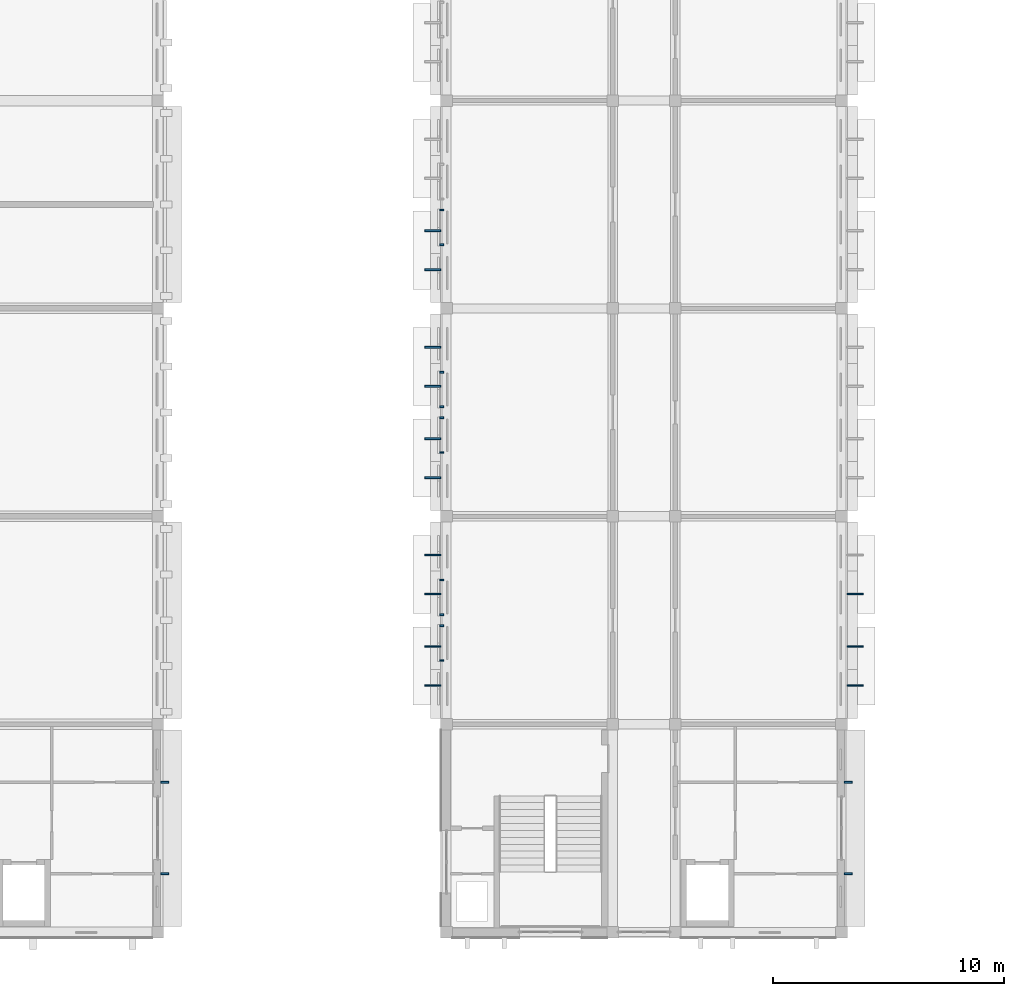
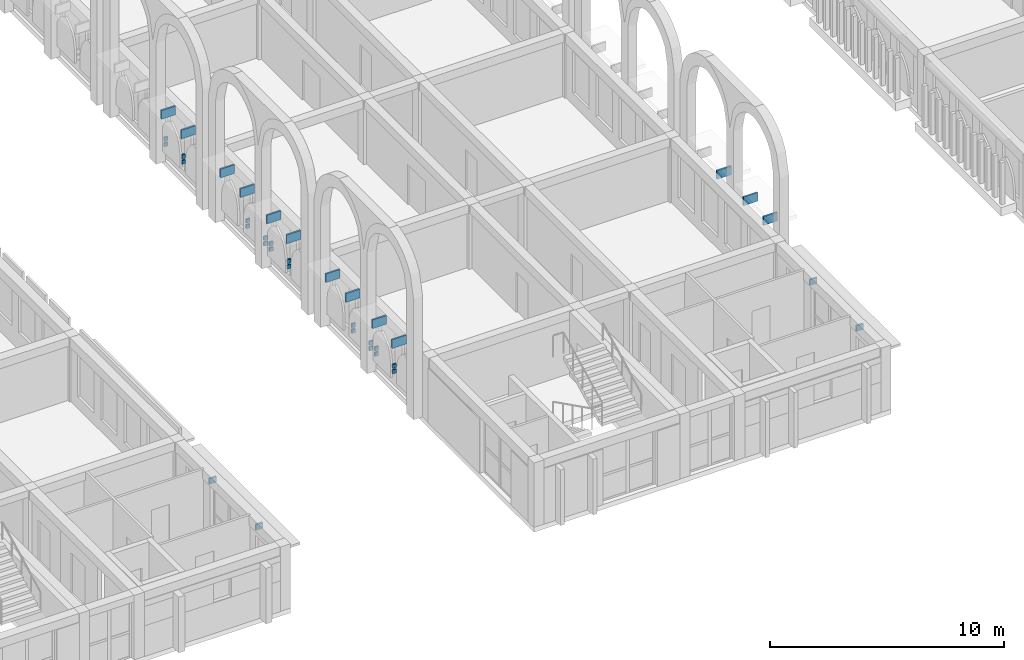
# One storey, part 50 of 70: 37 discrete accessories.
"""IFC4 building model written with IfcOpenShell, lengths in metres."""

from ifc_helpers import new_model, si_unit, direction, frame, origin, origin_2d, place, context, subcontext, project, spatial, rectangle, extrude, material, type_object, element, save


model = new_model("IFC4")

# Units and contexts
model_context = context("Model", 3, precision=1e-05, world=origin(), true_north=direction((0.0, 1.0)))
body_context = subcontext(model_context, "Body", "Model", "MODEL_VIEW")
ifc_project = project(units=[si_unit("LENGTHUNIT", "METRE"), si_unit("AREAUNIT", "SQUARE_METRE"), si_unit("VOLUMEUNIT", "CUBIC_METRE"), si_unit("PLANEANGLEUNIT", "RADIAN"), si_unit("MASSUNIT", "GRAM", prefix="KILO")], contexts=[model_context])

# Site, building, storey
site_placement = place(None, origin())
site = spatial("IfcSite", under=ifc_project, at=site_placement, CompositionType="ELEMENT")
building_placement = place(site_placement, origin())
building = spatial("IfcBuilding", under=site, at=building_placement, Name="Elbe Cascade School", CompositionType="ELEMENT")
storey_placement = place(building_placement, frame((0.0, 0.0, 8.10009765625)))
storey = spatial("IfcBuildingStorey", under=building, at=storey_placement, Name="L02", CompositionType="ELEMENT", Elevation=8.10009765625)

# Discrete accessories
ifc_material = material(Name="Steel S355J2, hot-dip galvanised", Category="steel")
discrete_accessory_type = type_object("IfcDiscreteAccessoryType", Name="Bars envelope Bracket, galvanised steel", PredefinedType="BRACKET", material=ifc_material)
for number, where, z_axis, x_axis, name in (
    (1, (86.39501953125, 8.52001953125, 2.4296875), (0.0, 0.0, 1.0), (0.0, 1.0, 0.0), "Bracket AC7 eave.e.1.br1"),
    (2, (86.39501953125, 12.47998046875, 2.4296875), (0.0, 0.0, 1.0), (0.0, 1.0, 0.0), "Bracket AC7 eave.e.1.br2"),
):
    element("IfcDiscreteAccessory", number, at=place(storey_placement, frame(where, z_axis=z_axis, x_axis=x_axis)), inside=storey, type_object=discrete_accessory_type, Name=name, PredefinedType="BRACKET", context=body_context, shape_type="SweptSolid", body=[
        extrude(rectangle(XDim=0.080078125, YDim=0.35009765625, at=origin_2d()), origin(), (0.0, 0.0, 1.0), 0.300048828125),
    ])
for number, where, z_axis, x_axis, name in (
    (3, (98.389892578125, 17.760009765625, 0.75), (0.0, 0.0, 1.0), (0.0, 1.0, 0.0), "Bracket AC7 jali.w.2.br2ll"),
    (4, (98.389892578125, 17.760009765625, 1.0400390625), (0.0, 0.0, 1.0), (0.0, 1.0, 0.0), "Bracket AC7 jali.w.2.br2lu"),
    (5, (98.389892578125, 19.260009765625, 0.75), (0.0, 0.0, 1.0), (0.0, 1.0, 0.0), "Bracket AC7 jali.w.2.br2rl"),
    (6, (98.389892578125, 19.260009765625, 1.0400390625), (0.0, 0.0, 1.0), (0.0, 1.0, 0.0), "Bracket AC7 jali.w.2.br2ru"),
    (7, (98.389892578125, 19.739990234375, 0.75), (0.0, 0.0, 1.0), (0.0, 1.0, 0.0), "Bracket AC7 jali.w.2.br3ll"),
    (8, (98.389892578125, 19.739990234375, 1.0400390625), (0.0, 0.0, 1.0), (0.0, 1.0, 0.0), "Bracket AC7 jali.w.2.br3lu"),
    (9, (98.389892578125, 21.239990234375, 0.75), (0.0, 0.0, 1.0), (0.0, 1.0, 0.0), "Bracket AC7 jali.w.2.br3rl"),
    (10, (98.389892578125, 21.239990234375, 1.0400390625), (0.0, 0.0, 1.0), (0.0, 1.0, 0.0), "Bracket AC7 jali.w.2.br3ru"),
    (11, (98.389892578125, 26.760009765625, 0.75), (0.0, 0.0, 1.0), (0.0, 1.0, 0.0), "Bracket AC7 jali.w.3.br2ll"),
    (12, (98.389892578125, 26.760009765625, 1.0400390625), (0.0, 0.0, 1.0), (0.0, 1.0, 0.0), "Bracket AC7 jali.w.3.br2lu"),
    (13, (98.389892578125, 28.260009765625, 0.75), (0.0, 0.0, 1.0), (0.0, 1.0, 0.0), "Bracket AC7 jali.w.3.br2rl"),
    (14, (98.389892578125, 28.260009765625, 1.0400390625), (0.0, 0.0, 1.0), (0.0, 1.0, 0.0), "Bracket AC7 jali.w.3.br2ru"),
    (15, (98.389892578125, 28.739990234375, 0.75), (0.0, 0.0, 1.0), (0.0, 1.0, 0.0), "Bracket AC7 jali.w.3.br3ll"),
    (16, (98.389892578125, 28.739990234375, 1.0400390625), (0.0, 0.0, 1.0), (0.0, 1.0, 0.0), "Bracket AC7 jali.w.3.br3lu"),
    (17, (98.389892578125, 30.239990234375, 0.75), (0.0, 0.0, 1.0), (0.0, 1.0, 0.0), "Bracket AC7 jali.w.3.br3rl"),
    (18, (98.389892578125, 30.239990234375, 1.0400390625), (0.0, 0.0, 1.0), (0.0, 1.0, 0.0), "Bracket AC7 jali.w.3.br3ru"),
    (19, (98.389892578125, 35.760009765625, 0.75), (0.0, 0.0, 1.0), (0.0, 1.0, 0.0), "Bracket AC7 jali.w.4.br2ll"),
    (20, (98.389892578125, 35.760009765625, 1.0400390625), (0.0, 0.0, 1.0), (0.0, 1.0, 0.0), "Bracket AC7 jali.w.4.br2lu"),
    (21, (98.389892578125, 37.260009765625, 0.75), (0.0, 0.0, 1.0), (0.0, 1.0, 0.0), "Bracket AC7 jali.w.4.br2rl"),
    (22, (98.389892578125, 37.260009765625, 1.0400390625), (0.0, 0.0, 1.0), (0.0, 1.0, 0.0), "Bracket AC7 jali.w.4.br2ru"),
):
    element("IfcDiscreteAccessory", number, at=place(storey_placement, frame(where, z_axis=z_axis, x_axis=x_axis)), inside=storey, type_object=discrete_accessory_type, Name=name, PredefinedType="BRACKET", context=body_context, shape_type="SweptSolid", body=[
        extrude(rectangle(XDim=0.080078125, YDim=0.179931640625, at=origin_2d()), origin(), (0.0, 0.0, 1.0), 0.199951171875),
    ])
for number, where, z_axis, x_axis, name in (
    (23, (115.9951171875, 8.52001953125, 2.4296875), (0.0, 0.0, 1.0), (0.0, 1.0, 0.0), "Bracket AC7 eave.e.1.br1"),
    (24, (115.9951171875, 12.47998046875, 2.4296875), (0.0, 0.0, 1.0), (0.0, 1.0, 0.0), "Bracket AC7 eave.e.1.br2"),
):
    element("IfcDiscreteAccessory", number, at=place(storey_placement, frame(where, z_axis=z_axis, x_axis=x_axis)), inside=storey, type_object=discrete_accessory_type, Name=name, PredefinedType="BRACKET", context=body_context, shape_type="SweptSolid", body=[
        extrude(rectangle(XDim=0.080078125, YDim=0.35009765625, at=origin_2d()), origin(), (0.0, 0.0, 1.0), 0.300048828125),
    ])
for number, where, z_axis, x_axis, name in (
    (25, (98.0, 16.675048828125, 2.9697265625), (0.0, 0.0, 1.0), (0.0, 1.0, 0.0), "Bracket AC7 chslab.w.1.1.br1"),
    (26, (98.0, 18.364990234375, 2.9697265625), (0.0, 0.0, 1.0), (0.0, 1.0, 0.0), "Bracket AC7 chslab.w.1.1.br2"),
    (27, (98.0, 20.635009765625, 2.9697265625), (0.0, 0.0, 1.0), (0.0, 1.0, 0.0), "Bracket AC7 chslab.w.1.2.br1"),
    (28, (98.0, 22.324951171875, 2.9697265625), (0.0, 0.0, 1.0), (0.0, 1.0, 0.0), "Bracket AC7 chslab.w.1.2.br2"),
    (29, (98.0, 25.675048828125, 2.9697265625), (0.0, 0.0, 1.0), (0.0, 1.0, 0.0), "Bracket AC7 chslab.w.2.1.br1"),
    (30, (98.0, 27.364990234375, 2.9697265625), (0.0, 0.0, 1.0), (0.0, 1.0, 0.0), "Bracket AC7 chslab.w.2.1.br2"),
    (31, (98.0, 29.635009765625, 2.9697265625), (0.0, 0.0, 1.0), (0.0, 1.0, 0.0), "Bracket AC7 chslab.w.2.2.br1"),
    (32, (98.0, 31.324951171875, 2.9697265625), (0.0, 0.0, 1.0), (0.0, 1.0, 0.0), "Bracket AC7 chslab.w.2.2.br2"),
    (33, (98.0, 34.675048828125, 2.9697265625), (0.0, 0.0, 1.0), (0.0, 1.0, 0.0), "Bracket AC7 chslab.w.3.1.br1"),
    (34, (98.0, 36.364990234375, 2.9697265625), (0.0, 0.0, 1.0), (0.0, 1.0, 0.0), "Bracket AC7 chslab.w.3.1.br2"),
    (35, (116.300048828125, 16.675048828125, 2.9697265625), (0.0, 0.0, 1.0), (0.0, 1.0, 0.0), "Bracket AC7 chslab.e.1.1.br1"),
    (36, (116.300048828125, 18.364990234375, 2.9697265625), (0.0, 0.0, 1.0), (0.0, 1.0, 0.0), "Bracket AC7 chslab.e.1.1.br2"),
    (37, (116.300048828125, 20.635009765625, 2.9697265625), (0.0, 0.0, 1.0), (0.0, 1.0, 0.0), "Bracket AC7 chslab.e.1.2.br1"),
):
    element("IfcDiscreteAccessory", number, at=place(storey_placement, frame(where, z_axis=z_axis, x_axis=x_axis)), inside=storey, type_object=discrete_accessory_type, Name=name, PredefinedType="BRACKET", context=body_context, shape_type="SweptSolid", body=[
        extrude(rectangle(XDim=0.080078125, YDim=0.699951171875, at=origin_2d()), origin(), (0.0, 0.0, 1.0), 0.449951171875),
    ])

save(model, "model.ifc")
